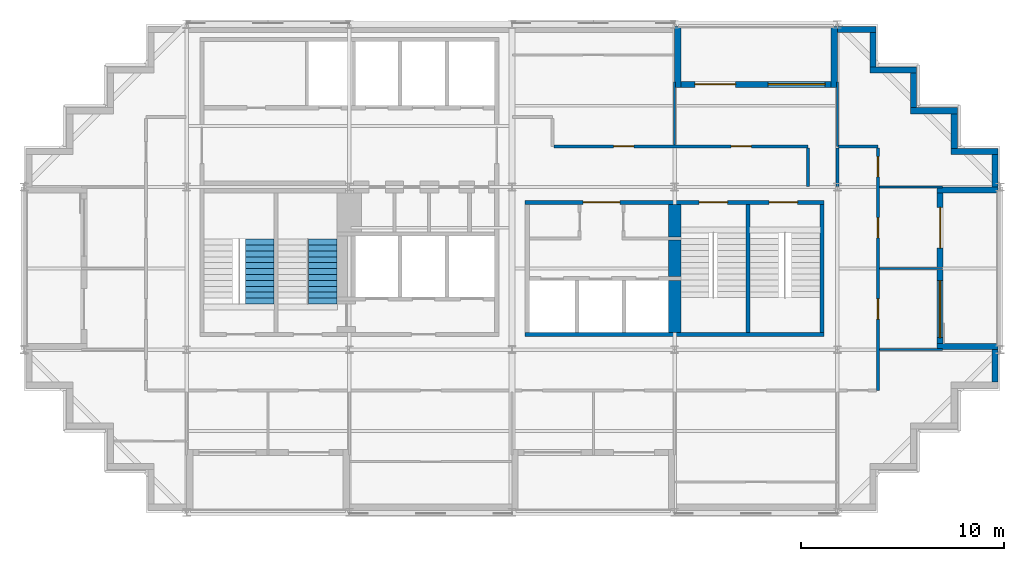
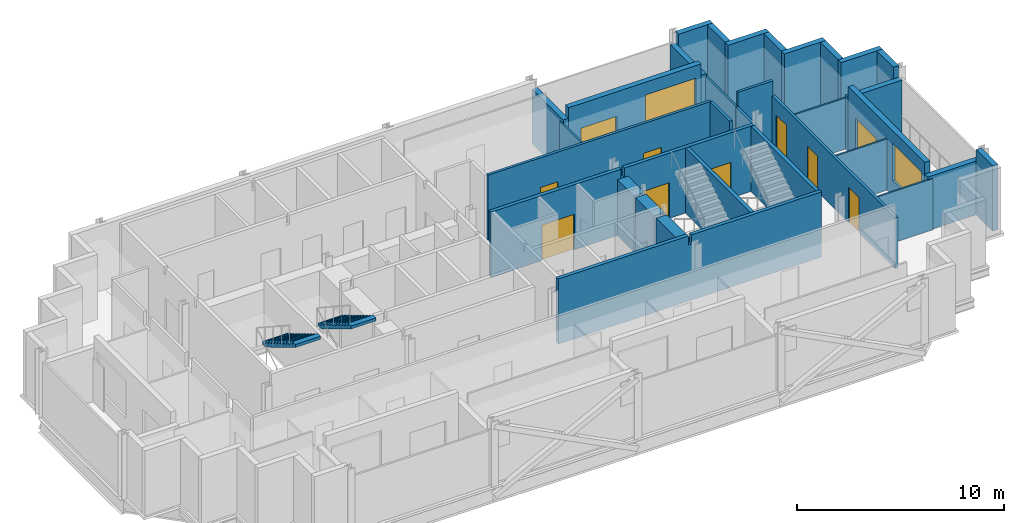
# One storey, part 7 of 9: 32 walls, 10 doors, 2 stair flights, 2 windows, 12 openings, 2 elements without a shape of their own.
"""IFC4 building model written with IfcOpenShell, lengths in metres."""

from ifc_helpers import new_model, si_unit, direction, frame, frame_2d, origin, place, context, subcontext, project, spatial, polyline, rectangle, outline, extrude, material, layer, layer_set, type_object, element, fill, aggregate, save


model = new_model("IFC4")

# Units and contexts
model_context = context("Model", 3, precision=1e-05, world=origin(), true_north=direction((0.0, 1.0)))
body_context = subcontext(model_context, "Body", "Model", "MODEL_VIEW")
ifc_project = project(units=[si_unit("LENGTHUNIT", "METRE"), si_unit("AREAUNIT", "SQUARE_METRE"), si_unit("VOLUMEUNIT", "CUBIC_METRE"), si_unit("PLANEANGLEUNIT", "RADIAN"), si_unit("MASSUNIT", "GRAM", prefix="KILO")], contexts=[model_context])

# Site, building, storey
site_placement = place(None, origin())
site = spatial("IfcSite", under=ifc_project, at=site_placement, CompositionType="ELEMENT")
building_placement = place(site_placement, origin())
building = spatial("IfcBuilding", under=site, at=building_placement, Name="Immortelle Media Tower", CompositionType="ELEMENT")
storey_placement = place(building_placement, frame((0.0, 0.0, 247.0)))
storey = spatial("IfcBuildingStorey", under=building, at=storey_placement, Name="L53", CompositionType="ELEMENT", Elevation=247.0)

# Wall, openings, doors
ifc_material_1 = material(Name="Fire-rated gypsum board", Category="gypsum")
ifc_layer_1 = layer(ifc_material_1, 0.012451171875)
ifc_material_2 = material(Name="Steel ASTM A653 SS Gr 50 stud frame with mineral wool", Category="steel")
ifc_layer_2 = layer(ifc_material_2, 0.125)
ifc_layer_3 = layer(ifc_material_1, 0.012451171875)
ifc_layer_set_1 = layer_set([ifc_layer_1, ifc_layer_2, ifc_layer_3], Name="Steel ASTM A653 SS Gr 50 stud frame with mineral wool")
wall_type_1 = type_object("IfcWallType", Name="Corridor wall 150", PredefinedType="PARTITIONING", material=ifc_layer_set_1)
wall_1_placement = place(storey_placement, frame((42.0, 6.0, 0.0), z_axis=(0.0, 0.0, 1.0), x_axis=(0.0, 1.0, 0.0)))
wall_1 = element("IfcWall", 1, at=wall_1_placement, inside=storey, type_object=wall_type_1, Name="Partition L53-015", PredefinedType="PARTITIONING", context=body_context, shape_type="SweptSolid", body=[
    extrude(rectangle(XDim=11.925048828125, YDim=0.14990234375, at=frame_2d((5.96240234375, 0.0))), origin(), (0.0, 0.0, 1.0), 3.013916015625),
])
opening_1_placement = place(wall_1_placement, frame((4.5, 0.0, 0.0), z_axis=(0.0, 0.0, 1.0), x_axis=(-1.0, 0.0, 0.0)))
opening_1 = element("IfcOpeningElement", 2, at=opening_1_placement, cuts=wall_1, Name="Opening X1-F014", PredefinedType="OPENING", context=body_context, shape_type="SweptSolid", body=[
    extrude(rectangle(XDim=1.0, YDim=2.10009765625, at=frame_2d((0.5, 1.050048828125))), frame((0.0, 0.0849609375, 0.0), z_axis=(0.0, -1.0, 0.0), x_axis=(1.0, 0.0, 0.0)), (0.0, 0.0, 1.0), 0.169921875),
])
opening_2_placement = place(wall_1_placement, frame((8.5, 0.0, 0.0), z_axis=(0.0, 0.0, 1.0), x_axis=(-1.0, 0.0, 0.0)))
opening_2 = element("IfcOpeningElement", 3, at=opening_2_placement, cuts=wall_1, Name="Opening X1-F015", PredefinedType="OPENING", context=body_context, shape_type="SweptSolid", body=[
    extrude(rectangle(XDim=1.0, YDim=2.10009765625, at=frame_2d((0.5, 1.050048828125))), frame((0.0, 0.0849609375, 0.0), z_axis=(0.0, -1.0, 0.0), x_axis=(1.0, 0.0, 0.0)), (0.0, 0.0, 1.0), 0.169921875),
])
opening_3_placement = place(wall_1_placement, frame((11.5, 0.0, 0.0), z_axis=(0.0, 0.0, 1.0), x_axis=(-1.0, 0.0, 0.0)))
opening_3 = element("IfcOpeningElement", 4, at=opening_3_placement, cuts=wall_1, Name="Opening X1-F017", PredefinedType="OPENING", context=body_context, shape_type="SweptSolid", body=[
    extrude(rectangle(XDim=1.0, YDim=2.10009765625, at=frame_2d((0.5, 1.050048828125))), frame((0.0, 0.0849609375, 0.0), z_axis=(0.0, -1.0, 0.0), x_axis=(1.0, 0.0, 0.0)), (0.0, 0.0, 1.0), 0.169921875),
])
ifc_material_3 = material(Name="Timber veneered door leaf, galvanised steel frame ASTM A653", Category="steel")
door_type_1 = type_object("IfcDoorType", Name="Room door 1000 x 2100", OperationType="NOTDEFINED", PredefinedType="DOOR", material=ifc_material_3)
door_1_placement = place(opening_1_placement, origin())
door_1 = element("IfcDoor", 5, at=door_1_placement, inside=storey, type_object=door_type_1, Name="Door X1-F014", OperationType="SINGLE_SWING_RIGHT", OverallHeight=2.10009765625, OverallWidth=1.0, PredefinedType="DOOR", context=body_context, shape_type="SweptSolid", body=[
    extrude(rectangle(XDim=1.0, YDim=2.10009765625, at=frame_2d((0.5, 1.050048828125))), frame((0.0, 0.02490234375, 0.0), z_axis=(0.0, -1.0, 0.0), x_axis=(1.0, 0.0, 0.0)), (0.0, 0.0, 1.0), 0.050048828125),
])
fill(opening_1, door_1)
door_2_placement = place(opening_2_placement, origin())
door_2 = element("IfcDoor", 6, at=door_2_placement, inside=storey, type_object=door_type_1, Name="Door X1-F015", OperationType="SINGLE_SWING_LEFT", OverallHeight=2.10009765625, OverallWidth=1.0, PredefinedType="DOOR", context=body_context, shape_type="SweptSolid", body=[
    extrude(rectangle(XDim=1.0, YDim=2.10009765625, at=frame_2d((0.5, 1.050048828125))), frame((0.0, 0.02490234375, 0.0), z_axis=(0.0, -1.0, 0.0), x_axis=(1.0, 0.0, 0.0)), (0.0, 0.0, 1.0), 0.050048828125),
])
fill(opening_2, door_2)
door_3_placement = place(opening_3_placement, origin())
door_3 = element("IfcDoor", 7, at=door_3_placement, inside=storey, type_object=door_type_1, Name="Door X1-F017", OperationType="SINGLE_SWING_RIGHT", OverallHeight=2.10009765625, OverallWidth=1.0, PredefinedType="DOOR", context=body_context, shape_type="SweptSolid", body=[
    extrude(rectangle(XDim=1.0, YDim=2.10009765625, at=frame_2d((0.5, 1.050048828125))), frame((0.0, 0.02490234375, 0.0), z_axis=(0.0, -1.0, 0.0), x_axis=(1.0, 0.0, 0.0)), (0.0, 0.0, 1.0), 0.050048828125),
])
fill(opening_3, door_3)

# Walls
wall_2_placement = place(storey_placement, frame((38.550048828125, 16.030029296875, 0.0), z_axis=(0.0, 0.0, 1.0), x_axis=(0.0, 1.0, 0.0)))
element("IfcWall", 8, at=wall_2_placement, inside=storey, type_object=wall_type_1, Name="Partition L53-022", PredefinedType="PARTITIONING", context=body_context, shape_type="SweptSolid", body=[
    extrude(rectangle(XDim=1.89501953125, YDim=0.14990234375, at=frame_2d((0.947509765625, 0.0))), origin(), (0.0, 0.0, 1.0), 3.85009765625),
])
wall_3_placement = place(storey_placement, frame((40.0, 16.030029296875, 0.0), z_axis=(0.0, 0.0, 1.0), x_axis=(0.0, 1.0, 0.0)))
element("IfcWall", 9, at=wall_3_placement, inside=storey, type_object=wall_type_1, Name="Partition L53-023", PredefinedType="PARTITIONING", context=body_context, shape_type="SweptSolid", body=[
    extrude(rectangle(XDim=1.89501953125, YDim=0.14990234375, at=frame_2d((0.947509765625, 0.0))), origin(), (0.0, 0.0, 1.0), 3.013916015625),
])

# Wall, openings, doors
wall_4_placement = place(storey_placement, frame((26.074951171875, 18.0, 0.0), z_axis=(0.0, 0.0, 1.0), x_axis=(1.0, 0.0, 0.0)))
wall_4 = element("IfcWall", 10, at=wall_4_placement, inside=storey, type_object=wall_type_1, Name="Partition L53-024", PredefinedType="PARTITIONING", context=body_context, shape_type="SweptSolid", body=[
    extrude(rectangle(XDim=12.47509765625, YDim=0.14990234375, at=frame_2d((6.237548828125, 0.0))), origin(), (0.0, 0.0, 1.0), 3.85009765625),
])
opening_4_placement = place(wall_4_placement, frame((8.699951171875, 0.0, 0.0)))
opening_4 = element("IfcOpeningElement", 11, at=opening_4_placement, cuts=wall_4, Name="Opening X1-F018", PredefinedType="OPENING", context=body_context, shape_type="SweptSolid", body=[
    extrude(rectangle(XDim=1.0, YDim=2.10009765625, at=frame_2d((0.5, 1.050048828125))), frame((0.0, 0.0849609375, 0.0), z_axis=(0.0, -1.0, 0.0), x_axis=(1.0, 0.0, 0.0)), (0.0, 0.0, 1.0), 0.169921875),
])
opening_5_placement = place(wall_4_placement, frame((2.925048828125, 0.0, 0.0)))
opening_5 = element("IfcOpeningElement", 12, at=opening_5_placement, cuts=wall_4, Name="Opening X1-F019", PredefinedType="OPENING", context=body_context, shape_type="SweptSolid", body=[
    extrude(rectangle(XDim=1.0, YDim=2.10009765625, at=frame_2d((0.5, 1.050048828125))), frame((0.0, 0.0849609375, 0.0), z_axis=(0.0, -1.0, 0.0), x_axis=(1.0, 0.0, 0.0)), (0.0, 0.0, 1.0), 0.169921875),
])
door_4_placement = place(opening_4_placement, origin())
door_4 = element("IfcDoor", 13, at=door_4_placement, inside=storey, type_object=door_type_1, Name="Door X1-F018", OperationType="SINGLE_SWING_LEFT", OverallHeight=2.10009765625, OverallWidth=1.0, PredefinedType="DOOR", context=body_context, shape_type="SweptSolid", body=[
    extrude(rectangle(XDim=1.0, YDim=2.10009765625, at=frame_2d((0.5, 1.050048828125))), frame((0.0, 0.02490234375, 0.0), z_axis=(0.0, -1.0, 0.0), x_axis=(1.0, 0.0, 0.0)), (0.0, 0.0, 1.0), 0.050048828125),
])
fill(opening_4, door_4)
door_5_placement = place(opening_5_placement, origin())
door_5 = element("IfcDoor", 14, at=door_5_placement, inside=storey, type_object=door_type_1, Name="Door X1-F019", OperationType="SINGLE_SWING_RIGHT", OverallHeight=2.10009765625, OverallWidth=1.0, PredefinedType="DOOR", context=body_context, shape_type="SweptSolid", body=[
    extrude(rectangle(XDim=1.0, YDim=2.10009765625, at=frame_2d((0.5, 1.050048828125))), frame((0.0, 0.02490234375, 0.0), z_axis=(0.0, -1.0, 0.0), x_axis=(1.0, 0.0, 0.0)), (0.0, 0.0, 1.0), 0.050048828125),
])
fill(opening_5, door_5)

# Walls
wall_5_placement = place(storey_placement, frame((40.050048828125, 18.0, 0.0), z_axis=(0.0, 0.0, 1.0), x_axis=(1.0, 0.0, 0.0)))
element("IfcWall", 15, at=wall_5_placement, inside=storey, type_object=wall_type_1, Name="Partition L53-027", PredefinedType="PARTITIONING", context=body_context, shape_type="SweptSolid", body=[
    extrude(rectangle(XDim=1.949951171875, YDim=0.14990234375, at=frame_2d((0.97509765625, 0.0))), origin(), (0.0, 0.0, 1.0), 3.85009765625),
])
ifc_material_4 = material(Name="Pale aluminium cladding panel", Category="aluminium")
ifc_layer_4 = layer(ifc_material_4, 0.030029296875)
ifc_layer_5 = layer(ifc_material_2, 0.257568359375)
ifc_material_5 = material(Name="Moisture-resistant gypsum board", Category="gypsum")
ifc_layer_6 = layer(ifc_material_5, 0.012451171875)
ifc_layer_set_2 = layer_set([ifc_layer_4, ifc_layer_5, ifc_layer_6], Name="Steel ASTM A653 SS Gr 50 stud frame with mineral wool")
wall_type_2 = type_object("IfcWallType", Name="Facade wall 300", PredefinedType="SOLIDWALL", material=ifc_layer_set_2)
wall_6_placement = place(storey_placement, frame((47.75, 6.39990234375, 0.0), z_axis=(0.0, 0.0, 1.0), x_axis=(0.0, 1.0, 0.0)))
element("IfcWall", 16, at=wall_6_placement, inside=storey, type_object=wall_type_2, Name="Facade wall L53 E13", PredefinedType="SOLIDWALL", context=body_context, shape_type="SweptSolid", body=[
    extrude(rectangle(XDim=1.60009765625, YDim=0.300048828125, at=frame_2d((0.800048828125, 0.0))), origin(), (0.0, 0.0, 1.0), 3.85009765625),
])

# Wall, openings, door, window
wall_7_placement = place(storey_placement, frame((45.050048828125, 8.300048828125, 0.0), z_axis=(0.0, 0.0, 1.0), x_axis=(0.0, 1.0, 0.0)))
wall_7 = element("IfcWall", 17, at=wall_7_placement, inside=storey, type_object=wall_type_2, Name="Loggia wall L53 E13", PredefinedType="SOLIDWALL", context=body_context, shape_type="SweptSolid", body=[
    extrude(rectangle(XDim=7.39990234375, YDim=0.300048828125, at=frame_2d((3.699951171875, 0.0))), origin(), (0.0, 0.0, 1.0), 3.85009765625),
])
opening_6_placement = place(wall_7_placement, frame((0.300048828125, 0.0, 0.89990234375)))
opening_6 = element("IfcOpeningElement", 18, at=opening_6_placement, cuts=wall_7, Name="Opening W1", PredefinedType="OPENING", context=body_context, shape_type="SweptSolid", body=[
    extrude(rectangle(XDim=2.800048828125, YDim=2.199951171875, at=frame_2d((1.39990234375, 1.10009765625))), frame((0.0, 0.159912109375, 0.0), z_axis=(0.0, -1.0, 0.0), x_axis=(1.0, 0.0, 0.0)), (0.0, 0.0, 1.0), 0.320068359375),
])
opening_7_placement = place(wall_7_placement, frame((4.699951171875, 0.0, 0.0)))
opening_7 = element("IfcOpeningElement", 19, at=opening_7_placement, cuts=wall_7, Name="Opening X1-E003", PredefinedType="OPENING", context=body_context, shape_type="SweptSolid", body=[
    extrude(rectangle(XDim=2.0, YDim=2.39990234375, at=frame_2d((1.0, 1.199951171875))), frame((0.0, 0.159912109375, 0.0), z_axis=(0.0, -1.0, 0.0), x_axis=(1.0, 0.0, 0.0)), (0.0, 0.0, 1.0), 0.320068359375),
])
ifc_material_6 = material(Name="Aluminium frame, glazed leaves", Category="aluminium")
door_type_2 = type_object("IfcDoorType", Name="Loggia door 2000 x 2400", OperationType="DOUBLE_DOOR_SINGLE_SWING", PredefinedType="DOOR", material=ifc_material_6)
door_6_placement = place(opening_7_placement, origin())
door_6 = element("IfcDoor", 20, at=door_6_placement, inside=storey, type_object=door_type_2, Name="Door X1-E003", OperationType="DOUBLE_DOOR_SINGLE_SWING", OverallHeight=2.39990234375, OverallWidth=2.0, PredefinedType="DOOR", context=body_context, shape_type="SweptSolid", body=[
    extrude(rectangle(XDim=2.0, YDim=2.39990234375, at=frame_2d((1.0, 1.199951171875))), frame((0.0, 0.02490234375, 0.0), z_axis=(0.0, -1.0, 0.0), x_axis=(1.0, 0.0, 0.0)), (0.0, 0.0, 1.0), 0.050048828125),
])
fill(opening_7, door_6)
ifc_material_7 = material(Name="Aluminium frame", Category="aluminium")
window_type = type_object("IfcWindowType", Name="Window 2800 x 2200", PartitioningType="SINGLE_PANEL", PredefinedType="WINDOW", material=ifc_material_7)
window_1_placement = place(opening_6_placement, origin())
window_1 = element("IfcWindow", 21, at=window_1_placement, inside=storey, type_object=window_type, Name="Window L53 L53-R13-B0", OverallHeight=2.199951171875, OverallWidth=2.800048828125, PartitioningType="SINGLE_PANEL", PredefinedType="WINDOW", context=body_context, shape_type="SweptSolid", body=[
    extrude(rectangle(XDim=2.800048828125, YDim=2.199951171875, at=frame_2d((1.39990234375, 1.10009765625))), frame((0.0, 0.030029296875, 0.0), z_axis=(0.0, -1.0, 0.0), x_axis=(1.0, 0.0, 0.0)), (0.0, 0.0, 1.0), 0.06005859375),
])
fill(opening_6, window_1)

# Walls
for number, where, z_axis, x_axis, name in (
    (22, (47.89990234375, 8.14990234375, 0.0), (0.0, 0.0, 1.0), (-1.0, 0.0, 0.0), "Loggia cheek wall L53 E"),
    (23, (47.89990234375, 15.85009765625, 0.0), (0.0, 0.0, 1.0), (-1.0, 0.0, 0.0), "Loggia cheek wall L53 E"),
):
    element("IfcWall", number, at=place(storey_placement, frame(where, z_axis=z_axis, x_axis=x_axis)), inside=storey, type_object=wall_type_2, Name=name, PredefinedType="SOLIDWALL", context=body_context, shape_type="SweptSolid", body=[
        extrude(rectangle(XDim=3.0, YDim=0.300048828125, at=frame_2d((1.5, 0.0))), origin(), (0.0, 0.0, 1.0), 3.1708984375),
    ])
wall_8_placement = place(storey_placement, frame((47.75, 16.0, 0.0), z_axis=(0.0, 0.0, 1.0), x_axis=(0.0, 1.0, 0.0)))
element("IfcWall", 24, at=wall_8_placement, inside=storey, type_object=wall_type_2, Name="Facade wall L53 E13", PredefinedType="SOLIDWALL", context=body_context, shape_type="SweptSolid", body=[
    extrude(rectangle(XDim=1.60009765625, YDim=0.300048828125, at=frame_2d((0.800048828125, 0.0))), origin(), (0.0, 0.0, 1.0), 3.85009765625),
])
wall_9_placement = place(storey_placement, frame((47.89990234375, 17.75, 0.0), z_axis=(0.0, 0.0, 1.0), x_axis=(-1.0, 0.0, 0.0)))
element("IfcWall", 25, at=wall_9_placement, inside=storey, type_object=wall_type_2, Name="Facade wall L53 N14", PredefinedType="SOLIDWALL", context=body_context, shape_type="SweptSolid", body=[
    extrude(rectangle(XDim=2.2998046875, YDim=0.300048828125, at=frame_2d((1.14990234375, 0.0))), origin(), (0.0, 0.0, 1.0), 3.85009765625),
])
wall_10_placement = place(storey_placement, frame((45.75, 17.89990234375, 0.0), z_axis=(0.0, 0.0, 1.0), x_axis=(0.0, 1.0, 0.0)))
element("IfcWall", 26, at=wall_10_placement, inside=storey, type_object=wall_type_2, Name="Facade wall L53 E15", PredefinedType="SOLIDWALL", context=body_context, shape_type="SweptSolid", body=[
    extrude(rectangle(XDim=1.7001953125, YDim=0.300048828125, at=frame_2d((0.85009765625, 0.0))), origin(), (0.0, 0.0, 1.0), 3.85009765625),
])
wall_11_placement = place(storey_placement, frame((45.89990234375, 19.75, 0.0), z_axis=(0.0, 0.0, 1.0), x_axis=(-1.0, 0.0, 0.0)))
element("IfcWall", 27, at=wall_11_placement, inside=storey, type_object=wall_type_2, Name="Facade wall L53 N16", PredefinedType="SOLIDWALL", context=body_context, shape_type="SweptSolid", body=[
    extrude(rectangle(XDim=2.2998046875, YDim=0.300048828125, at=frame_2d((1.14990234375, 0.0))), origin(), (0.0, 0.0, 1.0), 3.85009765625),
])
wall_12_placement = place(storey_placement, frame((43.75, 19.89990234375, 0.0), z_axis=(0.0, 0.0, 1.0), x_axis=(0.0, 1.0, 0.0)))
element("IfcWall", 28, at=wall_12_placement, inside=storey, type_object=wall_type_2, Name="Facade wall L53 E17", PredefinedType="SOLIDWALL", context=body_context, shape_type="SweptSolid", body=[
    extrude(rectangle(XDim=1.7001953125, YDim=0.300048828125, at=frame_2d((0.85009765625, 0.0))), origin(), (0.0, 0.0, 1.0), 3.85009765625),
])
wall_13_placement = place(storey_placement, frame((43.89990234375, 21.75, 0.0), z_axis=(0.0, 0.0, 1.0), x_axis=(-1.0, 0.0, 0.0)))
element("IfcWall", 29, at=wall_13_placement, inside=storey, type_object=wall_type_2, Name="Facade wall L53 N18", PredefinedType="SOLIDWALL", context=body_context, shape_type="SweptSolid", body=[
    extrude(rectangle(XDim=2.2998046875, YDim=0.300048828125, at=frame_2d((1.14990234375, 0.0))), origin(), (0.0, 0.0, 1.0), 3.85009765625),
])
wall_14_placement = place(storey_placement, frame((41.75, 21.89990234375, 0.0), z_axis=(0.0, 0.0, 1.0), x_axis=(0.0, 1.0, 0.0)))
element("IfcWall", 30, at=wall_14_placement, inside=storey, type_object=wall_type_2, Name="Facade wall L53 E19", PredefinedType="SOLIDWALL", context=body_context, shape_type="SweptSolid", body=[
    extrude(rectangle(XDim=1.7001953125, YDim=0.300048828125, at=frame_2d((0.85009765625, 0.0))), origin(), (0.0, 0.0, 1.0), 3.85009765625),
])
wall_15_placement = place(storey_placement, frame((41.89990234375, 23.75, 0.0), z_axis=(0.0, 0.0, 1.0), x_axis=(-1.0, 0.0, 0.0)))
element("IfcWall", 31, at=wall_15_placement, inside=storey, type_object=wall_type_2, Name="Facade wall L53 N20", PredefinedType="SOLIDWALL", context=body_context, shape_type="SweptSolid", body=[
    extrude(rectangle(XDim=1.89990234375, YDim=0.300048828125, at=frame_2d((0.949951171875, 0.0))), origin(), (0.0, 0.0, 1.0), 3.85009765625),
])

# Wall, openings, door, window
wall_16_placement = place(storey_placement, frame((39.699951171875, 21.050048828125, 0.0), z_axis=(0.0, 0.0, 1.0), x_axis=(-1.0, 0.0, 0.0)))
wall_16 = element("IfcWall", 32, at=wall_16_placement, inside=storey, type_object=wall_type_2, Name="Loggia wall L53 N20", PredefinedType="SOLIDWALL", context=body_context, shape_type="SweptSolid", body=[
    extrude(rectangle(XDim=7.39990234375, YDim=0.300048828125, at=frame_2d((3.699951171875, 0.0))), origin(), (0.0, 0.0, 1.0), 3.85009765625),
])
opening_8_placement = place(wall_16_placement, frame((0.300048828125, 0.0, 0.89990234375)))
opening_8 = element("IfcOpeningElement", 33, at=opening_8_placement, cuts=wall_16, Name="Opening W1", PredefinedType="OPENING", context=body_context, shape_type="SweptSolid", body=[
    extrude(rectangle(XDim=2.800048828125, YDim=2.199951171875, at=frame_2d((1.39990234375, 1.10009765625))), frame((0.0, 0.159912109375, 0.0), z_axis=(0.0, -1.0, 0.0), x_axis=(1.0, 0.0, 0.0)), (0.0, 0.0, 1.0), 0.320068359375),
])
opening_9_placement = place(wall_16_placement, frame((4.699951171875, 0.0, 0.0)))
opening_9 = element("IfcOpeningElement", 34, at=opening_9_placement, cuts=wall_16, Name="Opening X1-E004", PredefinedType="OPENING", context=body_context, shape_type="SweptSolid", body=[
    extrude(rectangle(XDim=2.0, YDim=2.39990234375, at=frame_2d((1.0, 1.199951171875))), frame((0.0, 0.159912109375, 0.0), z_axis=(0.0, -1.0, 0.0), x_axis=(1.0, 0.0, 0.0)), (0.0, 0.0, 1.0), 0.320068359375),
])
door_7_placement = place(opening_9_placement, origin())
door_7 = element("IfcDoor", 35, at=door_7_placement, inside=storey, type_object=door_type_2, Name="Door X1-E004", OperationType="DOUBLE_DOOR_SINGLE_SWING", OverallHeight=2.39990234375, OverallWidth=2.0, PredefinedType="DOOR", context=body_context, shape_type="SweptSolid", body=[
    extrude(rectangle(XDim=2.0, YDim=2.39990234375, at=frame_2d((1.0, 1.199951171875))), frame((0.0, 0.02490234375, 0.0), z_axis=(0.0, -1.0, 0.0), x_axis=(1.0, 0.0, 0.0)), (0.0, 0.0, 1.0), 0.050048828125),
])
fill(opening_9, door_7)
window_2_placement = place(opening_8_placement, origin())
window_2 = element("IfcWindow", 36, at=window_2_placement, inside=storey, type_object=window_type, Name="Window L53 L53-R20-B0", OverallHeight=2.199951171875, OverallWidth=2.800048828125, PartitioningType="SINGLE_PANEL", PredefinedType="WINDOW", context=body_context, shape_type="SweptSolid", body=[
    extrude(rectangle(XDim=2.800048828125, YDim=2.199951171875, at=frame_2d((1.39990234375, 1.10009765625))), frame((0.0, 0.030029296875, 0.0), z_axis=(0.0, -1.0, 0.0), x_axis=(1.0, 0.0, 0.0)), (0.0, 0.0, 1.0), 0.06005859375),
])
fill(opening_8, window_2)

# Walls
wall_17_placement = place(storey_placement, frame((39.85009765625, 23.89990234375, 0.0), z_axis=(0.0, 0.0, 1.0), x_axis=(0.0, -1.0, 0.0)))
element("IfcWall", 37, at=wall_17_placement, inside=storey, type_object=wall_type_2, Name="Loggia cheek wall L53 N", PredefinedType="SOLIDWALL", context=body_context, shape_type="SweptSolid", body=[
    extrude(rectangle(XDim=3.0, YDim=0.300048828125, at=frame_2d((1.5, 0.0))), origin(), (0.0, 0.0, 1.0), 3.1708984375),
])
wall_18_placement = place(storey_placement, frame((32.14990234375, 23.89990234375, 0.0), z_axis=(0.0, 0.0, 1.0), x_axis=(0.0, -1.0, 0.0)))
element("IfcWall", 38, at=wall_18_placement, inside=storey, type_object=wall_type_2, Name="Loggia cheek wall L53 N", PredefinedType="SOLIDWALL", context=body_context, shape_type="SweptSolid", body=[
    extrude(rectangle(XDim=3.0, YDim=0.300048828125, at=frame_2d((1.5, 0.0))), origin(), (0.0, 0.0, 1.0), 3.237060546875),
])
ifc_material_8 = material(Name="Gypsum board", Category="gypsum")
ifc_layer_7 = layer(ifc_material_8, 0.012451171875)
ifc_layer_8 = layer(ifc_material_2, 0.074951171875)
ifc_layer_9 = layer(ifc_material_8, 0.012451171875)
ifc_layer_set_3 = layer_set([ifc_layer_7, ifc_layer_8, ifc_layer_9], Name="Steel ASTM A653 SS Gr 50 stud frame with mineral wool")
wall_type_3 = type_object("IfcWallType", Name="Partition 100", PredefinedType="PARTITIONING", material=ifc_layer_set_3)
for number, where, z_axis, x_axis, name in (
    (39, (42.074951171875, 8.0, 0.0), (0.0, 0.0, 1.0), (1.0, 0.0, 0.0), "Partition L53-017"),
    (40, (42.074951171875, 12.0, 0.0), (0.0, 0.0, 1.0), (1.0, 0.0, 0.0), "Partition L53-019"),
    (41, (42.074951171875, 16.0, 0.0), (0.0, 0.0, 1.0), (1.0, 0.0, 0.0), "Partition L53-021"),
    (42, (32.0, 18.074951171875, 0.0), (0.0, 0.0, 1.0), (0.0, 1.0, 0.0), "Partition L53-026"),
):
    element("IfcWall", number, at=place(storey_placement, frame(where, z_axis=z_axis, x_axis=x_axis)), inside=storey, type_object=wall_type_3, Name=name, PredefinedType="PARTITIONING", context=body_context, shape_type="SweptSolid", body=[
        extrude(rectangle(XDim=3.094970703125, YDim=0.10009765625, at=frame_2d((1.54736328125, 0.0))), origin(), (0.0, 0.0, 1.0), 3.013916015625),
    ])
wall_19_placement = place(storey_placement, frame((40.0, 18.0, 0.0), z_axis=(0.0, 0.0, 1.0), x_axis=(0.0, 1.0, 0.0)))
element("IfcWall", 43, at=wall_19_placement, inside=storey, type_object=wall_type_3, Name="Partition L53-028", PredefinedType="PARTITIONING", context=body_context, shape_type="SweptSolid", body=[
    extrude(rectangle(XDim=3.169921875, YDim=0.10009765625, at=frame_2d((1.5849609375, 0.0))), origin(), (0.0, 0.0, 1.0), 3.013916015625),
])
ifc_material_9 = material(Name="Concrete C60", Category="concrete")
ifc_layer_10 = layer(ifc_material_9, 0.199951171875)
ifc_layer_set_4 = layer_set([ifc_layer_10], Name="Concrete C60")
wall_type_4 = type_object("IfcWallType", Name="Stair shaft wall 200", PredefinedType="PARTITIONING", material=ifc_layer_set_4)
wall_20_placement = place(storey_placement, frame((24.64990234375, 8.75, 0.0), z_axis=(0.0, 0.0, 1.0), x_axis=(1.0, 0.0, 0.0)))
element("IfcWall", 44, at=wall_20_placement, inside=storey, type_object=wall_type_4, Name="Stair shaft wall SE", PredefinedType="PARTITIONING", context=body_context, shape_type="SweptSolid", body=[
    extrude(outline(polyline([(0.0, 0.0), (14.7001953125, 0.0), (14.699951171875, 3.85009765625), (7.4384765625, 3.85009765625), (7.4375, 3.30810546875), (7.262451171875, 3.30810546875), (7.261474609375, 3.85009765625), (0.0, 3.85009765625), (0.0, 0.0)])), frame((0.0, 0.10009765625, 0.0), z_axis=(0.0, -1.0, 0.0), x_axis=(1.0, 0.0, 0.0)), (0.0, 0.0, 1.0), 0.199951171875),
])

# Wall, openings, doors
wall_21_placement = place(storey_placement, frame((24.64990234375, 15.25, 0.0), z_axis=(0.0, 0.0, 1.0), x_axis=(1.0, 0.0, 0.0)))
wall_21 = element("IfcWall", 45, at=wall_21_placement, inside=storey, type_object=wall_type_4, Name="Stair shaft wall SE", PredefinedType="PARTITIONING", context=body_context, shape_type="SweptSolid", body=[
    extrude(outline(polyline([(0.0, 0.0), (14.7001953125, 0.0), (14.699951171875, 3.85009765625), (7.4384765625, 3.85009765625), (7.4375, 3.30810546875), (7.262451171875, 3.30810546875), (7.261474609375, 3.85009765625), (0.0, 3.85009765625), (0.0, 0.0)])), frame((0.0, 0.10009765625, 0.0), z_axis=(0.0, -1.0, 0.0), x_axis=(1.0, 0.0, 0.0)), (0.0, 0.0, 1.0), 0.199951171875),
])
opening_10_placement = place(wall_21_placement, frame((2.85009765625, 0.0, 0.0)))
opening_10 = element("IfcOpeningElement", 46, at=opening_10_placement, cuts=wall_21, Name="Opening X1-K022", PredefinedType="OPENING", context=body_context, shape_type="SweptSolid", body=[
    extrude(rectangle(XDim=1.800048828125, YDim=2.10009765625, at=frame_2d((0.89990234375, 1.050048828125))), frame((0.0, 0.10986328125, 0.0), z_axis=(0.0, -1.0, 0.0), x_axis=(1.0, 0.0, 0.0)), (0.0, 0.0, 1.0), 0.219970703125),
])
opening_11_placement = place(wall_21_placement, frame((9.949951171875, 0.0, 0.0), z_axis=(0.0, 0.0, 1.0), x_axis=(-1.0, 0.0, 0.0)))
opening_11 = element("IfcOpeningElement", 47, at=opening_11_placement, cuts=wall_21, Name="Opening X1-K025", PredefinedType="OPENING", context=body_context, shape_type="SweptSolid", body=[
    extrude(rectangle(XDim=1.39990234375, YDim=2.10009765625, at=frame_2d((0.699951171875, 1.050048828125))), frame((0.0, 0.10986328125, 0.0), z_axis=(0.0, -1.0, 0.0), x_axis=(1.0, 0.0, 0.0)), (0.0, 0.0, 1.0), 0.219970703125),
])
opening_12_placement = place(wall_21_placement, frame((13.39990234375, 0.0, 0.0), z_axis=(0.0, 0.0, 1.0), x_axis=(-1.0, 0.0, 0.0)))
opening_12 = element("IfcOpeningElement", 48, at=opening_12_placement, cuts=wall_21, Name="Opening X1-K026", PredefinedType="OPENING", context=body_context, shape_type="SweptSolid", body=[
    extrude(rectangle(XDim=1.39990234375, YDim=2.10009765625, at=frame_2d((0.699951171875, 1.050048828125))), frame((0.0, 0.10986328125, 0.0), z_axis=(0.0, -1.0, 0.0), x_axis=(1.0, 0.0, 0.0)), (0.0, 0.0, 1.0), 0.219970703125),
])
ifc_material_10 = material(Name="Galvanised steel door leaf and frame ASTM A653", Category="steel")
door_type_3 = type_object("IfcDoorType", Name="Lift lobby door 1800 x 2100", OperationType="DOUBLE_DOOR_SINGLE_SWING", PredefinedType="NOTDEFINED", material=ifc_material_10)
door_8_placement = place(opening_10_placement, origin())
door_8 = element("IfcDoor", 49, at=door_8_placement, inside=storey, type_object=door_type_3, Name="Lift lobby X1-K022", OperationType="DOUBLE_DOOR_SINGLE_SWING", OverallHeight=2.10009765625, OverallWidth=1.800048828125, PredefinedType="NOTDEFINED", context=body_context, shape_type="SweptSolid", body=[
    extrude(rectangle(XDim=1.800048828125, YDim=2.10009765625, at=frame_2d((0.89990234375, 1.050048828125))), frame((0.0, 0.02490234375, 0.0), z_axis=(0.0, -1.0, 0.0), x_axis=(1.0, 0.0, 0.0)), (0.0, 0.0, 1.0), 0.050048828125),
])
fill(opening_10, door_8)
door_type_4 = type_object("IfcDoorType", Name="Stair door 1400 x 2100", OperationType="DOUBLE_DOOR_SINGLE_SWING", PredefinedType="NOTDEFINED", material=ifc_material_10)
door_9_placement = place(opening_11_placement, origin())
door_9 = element("IfcDoor", 50, at=door_9_placement, inside=storey, type_object=door_type_4, Name="Stair X1-K025", OperationType="DOUBLE_DOOR_SINGLE_SWING", OverallHeight=2.10009765625, OverallWidth=1.39990234375, PredefinedType="NOTDEFINED", context=body_context, shape_type="SweptSolid", body=[
    extrude(rectangle(XDim=1.39990234375, YDim=2.10009765625, at=frame_2d((0.699951171875, 1.050048828125))), frame((0.0, 0.02490234375, 0.0), z_axis=(0.0, -1.0, 0.0), x_axis=(1.0, 0.0, 0.0)), (0.0, 0.0, 1.0), 0.050048828125),
])
fill(opening_11, door_9)
door_10_placement = place(opening_12_placement, origin())
door_10 = element("IfcDoor", 51, at=door_10_placement, inside=storey, type_object=door_type_4, Name="Stair X1-K026", OperationType="DOUBLE_DOOR_SINGLE_SWING", OverallHeight=2.10009765625, OverallWidth=1.39990234375, PredefinedType="NOTDEFINED", context=body_context, shape_type="SweptSolid", body=[
    extrude(rectangle(XDim=1.39990234375, YDim=2.10009765625, at=frame_2d((0.699951171875, 1.050048828125))), frame((0.0, 0.02490234375, 0.0), z_axis=(0.0, -1.0, 0.0), x_axis=(1.0, 0.0, 0.0)), (0.0, 0.0, 1.0), 0.050048828125),
])
fill(opening_12, door_10)

# Walls
for number, where, z_axis, x_axis, name in (
    (52, (35.60009765625, 8.85009765625, 0.0), (0.0, 0.0, 1.0), (0.0, 1.0, 0.0), "Stair shaft wall SE"),
    (53, (39.25, 8.85009765625, 0.0), (0.0, 0.0, 1.0), (0.0, 1.0, 0.0), "Stair shaft wall SE"),
):
    element("IfcWall", number, at=place(storey_placement, frame(where, z_axis=z_axis, x_axis=x_axis)), inside=storey, type_object=wall_type_4, Name=name, PredefinedType="PARTITIONING", context=body_context, shape_type="SweptSolid", body=[
        extrude(rectangle(XDim=6.2998046875, YDim=0.199951171875, at=frame_2d((3.14990234375, 0.0))), origin(), (0.0, 0.0, 1.0), 3.85009765625),
    ])
ifc_layer_11 = layer(ifc_material_9, 0.60009765625)
ifc_layer_set_5 = layer_set([ifc_layer_11], Name="Concrete C60")
wall_type_5 = type_object("IfcWallType", Name="Stair shaft wall 600", PredefinedType="PARTITIONING", material=ifc_layer_set_5)
wall_22_placement = place(storey_placement, frame((32.0, 8.85009765625, 0.0), z_axis=(0.0, 0.0, 1.0), x_axis=(0.0, 1.0, 0.0)))
element("IfcWall", 54, at=wall_22_placement, inside=storey, type_object=wall_type_5, Name="Stair shaft wall SE", PredefinedType="PARTITIONING", context=body_context, shape_type="SweptSolid", body=[
    extrude(rectangle(XDim=2.5498046875, YDim=0.60009765625, at=frame_2d((1.27490234375, 0.0))), origin(), (0.0, 0.0, 1.0), 3.30810546875),
])
wall_23_placement = place(storey_placement, frame((32.0, 11.60009765625, 0.0), z_axis=(0.0, 0.0, 1.0), x_axis=(0.0, 1.0, 0.0)))
element("IfcWall", 55, at=wall_23_placement, inside=storey, type_object=wall_type_5, Name="Stair shaft wall SE", PredefinedType="PARTITIONING", context=body_context, shape_type="SweptSolid", body=[
    extrude(rectangle(XDim=1.7998046875, YDim=0.60009765625, at=frame_2d((0.89990234375, 0.0))), origin(), (0.0, 0.0, 1.0), 3.30810546875),
])
wall_24_placement = place(storey_placement, frame((32.0, 13.550048828125, 0.0), z_axis=(0.0, 0.0, 1.0), x_axis=(0.0, 1.0, 0.0)))
element("IfcWall", 56, at=wall_24_placement, inside=storey, type_object=wall_type_5, Name="Stair shaft wall SE", PredefinedType="PARTITIONING", context=body_context, shape_type="SweptSolid", body=[
    extrude(rectangle(XDim=1.599853515625, YDim=0.60009765625, at=frame_2d((0.7998046875, 0.0))), origin(), (0.0, 0.0, 1.0), 3.30810546875),
])

# Stair, stair flight
ifc_material_11 = material(Name="Steel ASTM A992 Gr 50", Category="steel")
stair_type = type_object("IfcStairType", Name="Stair with flights", PredefinedType="DOUBLE_RETURN_STAIR", material=ifc_material_11)
stair_1_placement = place(storey_placement, origin())
stair_1 = element("IfcStair", 57, at=stair_1_placement, inside=storey, type_object=stair_type, Name="Exit stair SW1", PredefinedType="DOUBLE_RETURN_STAIR")
stair_flight_type = type_object("IfcStairFlightType", Name="Stair flight 1400", PredefinedType="STRAIGHT", material=ifc_material_11)
stair_flight_1_placement = place(storey_placement, frame((11.60009765625, 13.43994140625, 1.9130859375), z_axis=(0.0, 0.0, 1.0), x_axis=(0.0, -1.0, 0.0)))
stair_flight_1 = element("IfcStairFlight", 58, at=stair_flight_1_placement, type_object=stair_flight_type, Name="ST SW1 flight 2", NumberOfRisers=12, NumberOfTreads=11, PredefinedType="STRAIGHT", RiserHeight=0.173913043, TreadLength=0.29, context=body_context, shape_type="SweptSolid", body=[
    extrude(outline(polyline([(0.0, 0.0), (0.0, 0.173828125), (0.2900390625, 0.173828125), (0.2900390625, 0.347900390625), (0.580078125, 0.347900390625), (0.580078125, 0.521728515625), (0.8701171875, 0.521728515625), (0.8701171875, 0.695556640625), (1.159912109375, 0.695556640625), (1.159912109375, 0.86962890625), (1.449951171875, 0.86962890625), (1.449951171875, 1.04345703125), (1.739990234375, 1.04345703125), (1.739990234375, 1.21728515625), (2.030029296875, 1.21728515625), (2.030029296875, 1.391357421875), (2.320068359375, 1.391357421875), (2.320068359375, 1.565185546875), (2.610107421875, 1.565185546875), (2.610107421875, 1.739013671875), (2.89990234375, 1.739013671875), (2.89990234375, 1.9130859375), (3.18994140625, 1.9130859375), (3.18994140625, 2.0869140625), (3.18994140625, 1.73828125), (0.29150390625, 0.0), (0.0, 0.0)])), frame((0.0, 0.699951171875, 0.0), z_axis=(0.0, -1.0, 0.0), x_axis=(1.0, 0.0, 0.0)), (0.0, 0.0, 1.0), 1.39990234375),
])
aggregate(stair_1, [stair_flight_1])

stair_2_placement = place(storey_placement, origin())
stair_2 = element("IfcStair", 59, at=stair_2_placement, inside=storey, type_object=stair_type, Name="Exit stair SW2", PredefinedType="DOUBLE_RETURN_STAIR")
stair_flight_2_placement = place(storey_placement, frame((14.699951171875, 13.43994140625, 1.9130859375), z_axis=(0.0, 0.0, 1.0), x_axis=(0.0, -1.0, 0.0)))
stair_flight_2 = element("IfcStairFlight", 60, at=stair_flight_2_placement, type_object=stair_flight_type, Name="ST SW2 flight 2", NumberOfRisers=12, NumberOfTreads=11, PredefinedType="STRAIGHT", RiserHeight=0.173913043, TreadLength=0.29, context=body_context, shape_type="SweptSolid", body=[
    extrude(outline(polyline([(0.0, 0.0), (0.0, 0.173828125), (0.2900390625, 0.173828125), (0.2900390625, 0.347900390625), (0.580078125, 0.347900390625), (0.580078125, 0.521728515625), (0.8701171875, 0.521728515625), (0.8701171875, 0.695556640625), (1.159912109375, 0.695556640625), (1.159912109375, 0.86962890625), (1.449951171875, 0.86962890625), (1.449951171875, 1.04345703125), (1.739990234375, 1.04345703125), (1.739990234375, 1.21728515625), (2.030029296875, 1.21728515625), (2.030029296875, 1.391357421875), (2.320068359375, 1.391357421875), (2.320068359375, 1.565185546875), (2.610107421875, 1.565185546875), (2.610107421875, 1.739013671875), (2.89990234375, 1.739013671875), (2.89990234375, 1.9130859375), (3.18994140625, 1.9130859375), (3.18994140625, 2.0869140625), (3.18994140625, 1.73828125), (0.29150390625, 0.0), (0.0, 0.0)])), frame((0.0, 0.699951171875, 0.0), z_axis=(0.0, -1.0, 0.0), x_axis=(1.0, 0.0, 0.0)), (0.0, 0.0, 1.0), 1.39990234375),
])
aggregate(stair_2, [stair_flight_2])

save(model, "model.ifc")
